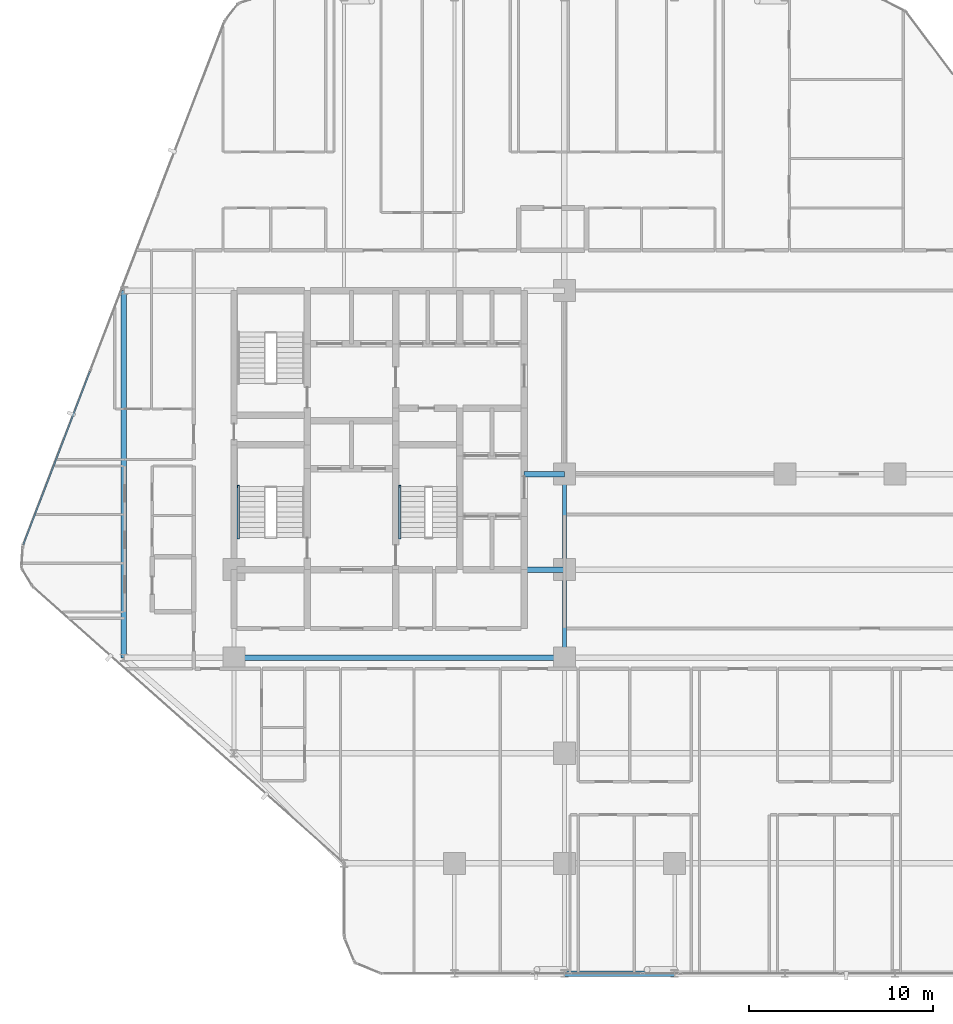
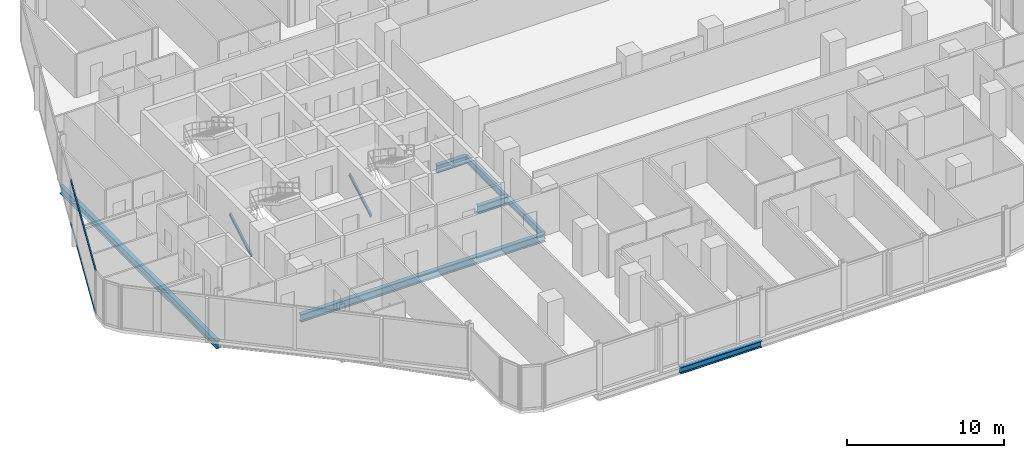
# One storey, part 7 of 34: 7 beams, 4 members, 1 element without a shape of its own.
"""IFC4 building model written with IfcOpenShell, lengths in metres."""

from ifc_helpers import new_model, si_unit, direction, frame, origin, origin_2d, place, context, subcontext, project, spatial, hollow_rectangle, i_section, extrude, material, layer, layer_set, material_profile, profile_set, type_object, element, aggregate, save


model = new_model("IFC4")

# Units and contexts
model_context = context("Model", 3, precision=1e-05, world=origin(), true_north=direction((0.0, 1.0)))
body_context = subcontext(model_context, "Body", "Model", "MODEL_VIEW")
ifc_project = project(units=[si_unit("LENGTHUNIT", "METRE"), si_unit("AREAUNIT", "SQUARE_METRE"), si_unit("VOLUMEUNIT", "CUBIC_METRE"), si_unit("PLANEANGLEUNIT", "RADIAN"), si_unit("MASSUNIT", "GRAM", prefix="KILO")], contexts=[model_context])

# Site, building, storey
site_placement = place(None, origin())
site = spatial("IfcSite", under=ifc_project, at=site_placement, CompositionType="ELEMENT")
building_placement = place(site_placement, origin())
building = spatial("IfcBuilding", under=site, at=building_placement, Name="Keshet Zoharim Tower", CompositionType="ELEMENT")
storey_placement = place(building_placement, frame((0.0, 0.0, 70.10009765625)))
storey = spatial("IfcBuildingStorey", under=building, at=storey_placement, Name="L16", CompositionType="ELEMENT", Elevation=70.10009765625)

# Beams
ifc_material_1 = material(Name="Steel S355", Category="steel")
ifc_material_profile_1 = material_profile(ifc_material_1, i_section(OverallWidth=0.300048828125, OverallDepth=0.60009765625, WebThickness=0.015380859375, FlangeThickness=0.030029296875, FilletRadius=0.027099609375, at=origin_2d()), Name="HEB600")
ifc_profile_set_1 = profile_set([ifc_material_profile_1], Name="Steel S355")
beam_type_1 = type_object("IfcBeamType", Name="BM-CLK-HB600", PredefinedType="BEAM", material=ifc_profile_set_1)
for number, where, z_axis, x_axis, name in (
    (1, (30.800048828125, 22.699951171875, -0.614990234375), (1.0, 0.0, 0.0), (0.0, 1.0, 0.0), "L16 Core Wall Link Girder 01"),
    (2, (30.800048828125, 27.89990234375, -0.614990234375), (1.0, 0.0, 0.0), (0.0, 1.0, 0.0), "L16 Core Wall Link Girder 02"),
):
    element("IfcBeam", number, at=place(storey_placement, frame(where, z_axis=z_axis, x_axis=x_axis)), inside=storey, type_object=beam_type_1, Name=name, PredefinedType="BEAM", context=body_context, shape_type="SweptSolid", body=[
        extrude(i_section(OverallWidth=0.300048828125, OverallDepth=0.60009765625, WebThickness=0.015380859375, FlangeThickness=0.030029296875, FilletRadius=0.027099609375, at=origin_2d()), origin(), (0.0, 0.0, 1.0), 2.199951171875),
    ])
ifc_material_profile_2 = material_profile(ifc_material_1, i_section(OverallWidth=0.300048828125, OverallDepth=0.60009765625, WebThickness=0.015380859375, FlangeThickness=0.030029296875, FilletRadius=0.027099609375, at=origin_2d()), Name="HEB600")
ifc_profile_set_2 = profile_set([ifc_material_profile_2], Name="Steel S355")
beam_type_2 = type_object("IfcBeamType", Name="BM-LNG-HB600", PredefinedType="BEAM", material=ifc_profile_set_2)
beam_1_placement = place(storey_placement, frame((15.0, 17.89990234375, -0.614990234375), z_axis=(1.0, 0.0, 0.0), x_axis=(0.0, 1.0, 0.0)))
element("IfcBeam", 3, at=beam_1_placement, inside=storey, type_object=beam_type_2, Name="L16 Primary Girder X-016", PredefinedType="BEAM", context=body_context, shape_type="SweptSolid", body=[
    extrude(i_section(OverallWidth=0.300048828125, OverallDepth=0.60009765625, WebThickness=0.015380859375, FlangeThickness=0.030029296875, FilletRadius=0.027099609375, at=origin_2d()), origin(), (0.0, 0.0, 1.0), 18.0),
])
beam_2_placement = place(storey_placement, frame((9.0, 17.89990234375, -0.614990234375), z_axis=(0.0, 1.0, 0.0), x_axis=(-1.0, 0.0, 0.0)))
element("IfcBeam", 4, at=beam_2_placement, inside=storey, type_object=beam_type_2, Name="L16 Primary Girder Y-001", PredefinedType="BEAM", context=body_context, shape_type="SweptSolid", body=[
    extrude(i_section(OverallWidth=0.300048828125, OverallDepth=0.60009765625, WebThickness=0.015380859375, FlangeThickness=0.030029296875, FilletRadius=0.027099609375, at=origin_2d()), origin(), (0.0, 0.0, 1.0), 20.0),
])
ifc_material_profile_3 = material_profile(ifc_material_1, i_section(OverallWidth=0.199951171875, OverallDepth=0.5, WebThickness=0.01025390625, FlangeThickness=0.01611328125, FilletRadius=0.02099609375, at=origin_2d()), Name="IPE500")
ifc_profile_set_3 = profile_set([ifc_material_profile_3], Name="Steel S355")
beam_type_3 = type_object("IfcBeamType", Name="BM-PRI-IP500", PredefinedType="BEAM", material=ifc_profile_set_3)
beam_3_placement = place(storey_placement, frame((33.0, 17.89990234375, -0.565185546875), z_axis=(0.0, 1.0, 0.0), x_axis=(-1.0, 0.0, 0.0)))
element("IfcBeam", 5, at=beam_3_placement, inside=storey, type_object=beam_type_3, Name="L16 Primary Girder Y-008", PredefinedType="BEAM", context=body_context, shape_type="SweptSolid", body=[
    extrude(i_section(OverallWidth=0.199951171875, OverallDepth=0.5, WebThickness=0.01025390625, FlangeThickness=0.01611328125, FilletRadius=0.02099609375, at=origin_2d()), origin(), (0.0, 0.0, 1.0), 4.800048828125),
])
beam_4_placement = place(storey_placement, frame((33.0, 22.699951171875, -0.565185546875), z_axis=(0.0, 1.0, 0.0), x_axis=(-1.0, 0.0, 0.0)))
element("IfcBeam", 6, at=beam_4_placement, inside=storey, type_object=beam_type_3, Name="L16 Primary Girder Y-009", PredefinedType="BEAM", context=body_context, shape_type="SweptSolid", body=[
    extrude(i_section(OverallWidth=0.199951171875, OverallDepth=0.5, WebThickness=0.01025390625, FlangeThickness=0.01611328125, FilletRadius=0.02099609375, at=origin_2d()), origin(), (0.0, 0.0, 1.0), 5.199951171875),
])
ifc_material_profile_4 = material_profile(ifc_material_1, i_section(OverallWidth=0.300048828125, OverallDepth=0.5, WebThickness=0.014404296875, FlangeThickness=0.028076171875, FilletRadius=0.027099609375, at=origin_2d()), Name="HEB500")
ifc_profile_set_4 = profile_set([ifc_material_profile_4], Name="Steel S355")
beam_type_4 = type_object("IfcBeamType", Name="BM-WEB-HB500", PredefinedType="BEAM", material=ifc_profile_set_4)
beam_5_placement = place(storey_placement, frame((33.0, 0.699951171875, -0.565185546875), z_axis=(1.0, 0.0, 0.0), x_axis=(0.0, 1.0, 0.0)))
element("IfcBeam", 7, at=beam_5_placement, inside=storey, type_object=beam_type_4, Name="L16 Primary Girder X-002", PredefinedType="BEAM", context=body_context, shape_type="SweptSolid", body=[
    extrude(i_section(OverallWidth=0.300048828125, OverallDepth=0.5, WebThickness=0.014404296875, FlangeThickness=0.028076171875, FilletRadius=0.027099609375, at=origin_2d()), origin(), (0.0, 0.0, 1.0), 6.0),
])

# Curtain wall, members
ifc_material_2 = material(Name="Aluminium 6063-T6", Category="aluminium")
ifc_layer = layer(ifc_material_2, 0.179931640625)
ifc_layer_set = layer_set([ifc_layer], Name="Aluminium 6063-T6")
curtain_wall_type = type_object("IfcCurtainWallType", Name="CW-SYS-01", PredefinedType="NOTDEFINED", material=ifc_layer_set)
curtain_wall_placement = place(storey_placement, origin())
curtain_wall = element("IfcCurtainWall", 8, at=curtain_wall_placement, inside=storey, type_object=curtain_wall_type, Name="L16 Unitised Curtain Wall 04", PredefinedType="NOTDEFINED")
ifc_material_profile_5 = material_profile(ifc_material_2, hollow_rectangle(XDim=0.0849609375, YDim=0.159912109375, WallThickness=0.00439453125, at=origin_2d()), Name="TRN-85x160")
ifc_profile_set_5 = profile_set([ifc_material_profile_5], Name="Aluminium 6063-T6")
member_type_1 = type_object("IfcMemberType", Name="CWT-T16", PredefinedType="USERDEFINED", material=ifc_profile_set_5)
member_1_placement = place(storey_placement, frame((3.522216796875, 24.058349609375, 0.034912109375), z_axis=(0.358993631387, 0.93334000912, 0.0), x_axis=(-0.93334000912, 0.358993631387, 0.0)))
member_1 = element("IfcMember", 9, at=member_1_placement, type_object=member_type_1, Name="CW-01 transom 1.1", ObjectType="TRANSOM", PredefinedType="USERDEFINED", context=body_context, shape_type="SweptSolid", body=[
    extrude(hollow_rectangle(XDim=0.0849609375, YDim=0.159912109375, WallThickness=0.00439453125, at=origin_2d()), origin(), (0.0, 0.0, 1.0), 10.1181640625),
])
member_2_placement = place(storey_placement, frame((3.522216796875, 24.058349609375, 3.349853515625), z_axis=(0.358993631387, 0.93334000912, 0.0), x_axis=(-0.93334000912, 0.358993631387, 0.0)))
member_2 = element("IfcMember", 10, at=member_2_placement, type_object=member_type_1, Name="CW-01 transom 1.2", ObjectType="TRANSOM", PredefinedType="USERDEFINED", context=body_context, shape_type="SweptSolid", body=[
    extrude(hollow_rectangle(XDim=0.0849609375, YDim=0.159912109375, WallThickness=0.00439453125, at=origin_2d()), origin(), (0.0, 0.0, 1.0), 10.1181640625),
])
aggregate(curtain_wall, [member_1, member_2])

# Members
ifc_material_profile_6 = material_profile(ifc_material_1, i_section(OverallWidth=0.1201171875, OverallDepth=0.239990234375, WebThickness=0.006103515625, FlangeThickness=0.009765625, FilletRadius=0.014892578125, at=origin_2d()), Name="IPE240")
ifc_profile_set_6 = profile_set([ifc_material_profile_6], Name="Steel S355")
member_type_2 = type_object("IfcMemberType", Name="MB-STRG-IP240", PredefinedType="STRINGER", material=ifc_profile_set_6)
for number, where, z_axis, x_axis, name in (
    (11, (15.22998046875, 24.43994140625, 0.119873046875), (0.0, 0.86689568745, 0.49848958573), (-1.0, 0.0, 0.0), "L16 ST-01 Flight Steel Stringer"),
    (12, (24.030029296875, 24.43994140625, 0.119873046875), (0.0, 0.86689568745, 0.49848958573), (-1.0, 0.0, 0.0), "L16 ST-03 Flight Steel Stringer"),
):
    element("IfcMember", number, at=place(storey_placement, frame(where, z_axis=z_axis, x_axis=x_axis)), inside=storey, type_object=member_type_2, Name=name, PredefinedType="STRINGER", context=body_context, shape_type="SweptSolid", body=[
        extrude(i_section(OverallWidth=0.1201171875, OverallDepth=0.239990234375, WebThickness=0.006103515625, FlangeThickness=0.009765625, FilletRadius=0.014892578125, at=origin_2d()), origin(), (0.0, 0.0, 1.0), 3.22998046875),
    ])

save(model, "model.ifc")
